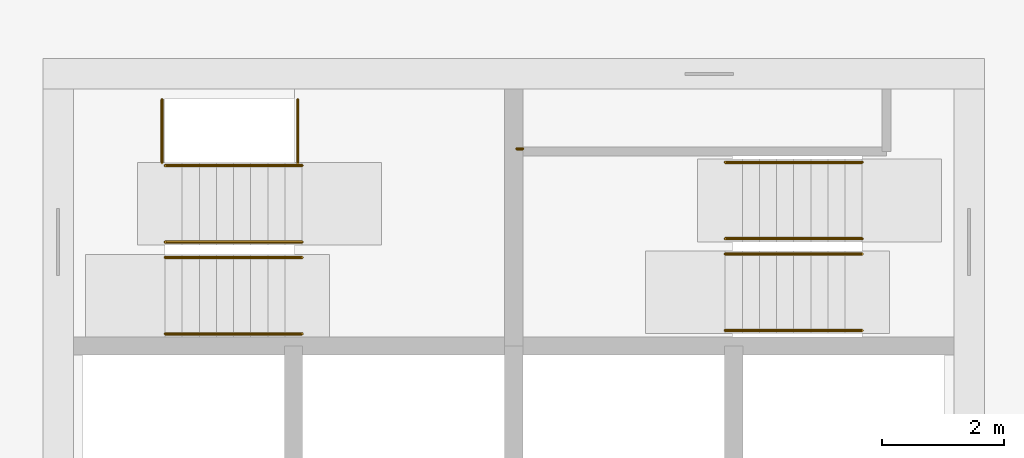
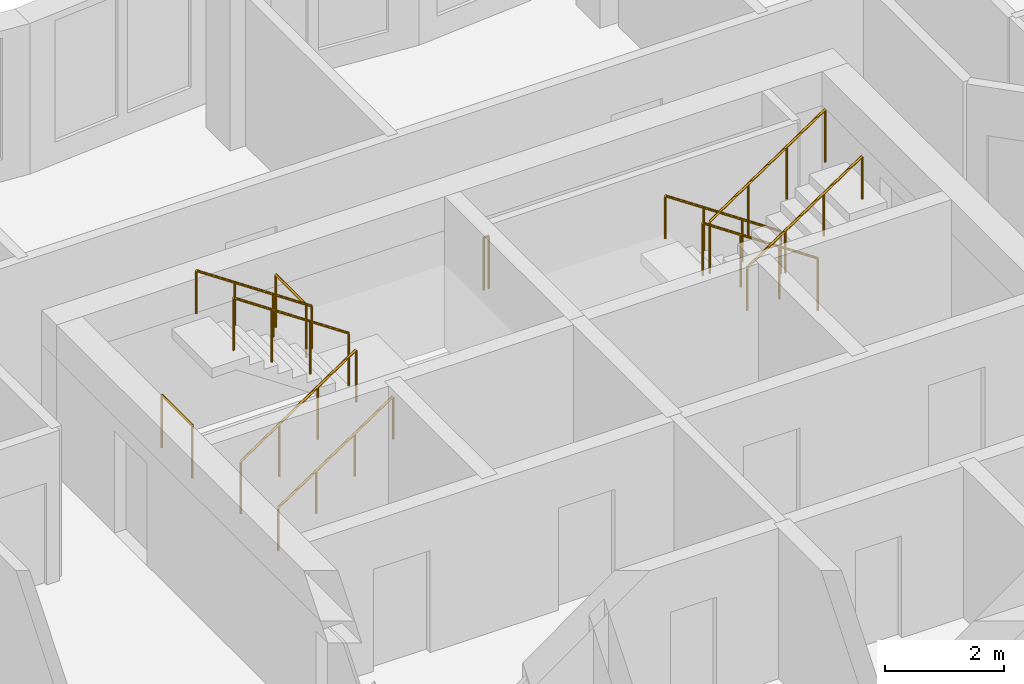
# One storey, part 10 of 11: 11 railings.
"""IFC4 building model written with IfcOpenShell, lengths in metres."""

from ifc_helpers import new_model, si_unit, direction, frame, origin, origin_2d, place, context, subcontext, project, spatial, circle, extrude, material, type_object, element, save


model = new_model("IFC4")

# Units and contexts
model_context = context("Model", 3, precision=1e-05, world=origin(), true_north=direction((0.0, 1.0)))
body_context = subcontext(model_context, "Body", "Model", "MODEL_VIEW")
ifc_project = project(units=[si_unit("LENGTHUNIT", "METRE"), si_unit("AREAUNIT", "SQUARE_METRE"), si_unit("VOLUMEUNIT", "CUBIC_METRE"), si_unit("PLANEANGLEUNIT", "RADIAN"), si_unit("MASSUNIT", "GRAM", prefix="KILO")], contexts=[model_context])

# Site, building, storey
site_placement = place(None, origin())
site = spatial("IfcSite", under=ifc_project, at=site_placement, CompositionType="ELEMENT")
building_placement = place(site_placement, origin())
building = spatial("IfcBuilding", under=site, at=building_placement, Name="Windrow Commons", CompositionType="ELEMENT")
storey_placement = place(building_placement, frame((0.0, 0.0, 193.0)))
storey = spatial("IfcBuildingStorey", under=building, at=storey_placement, Name="L52", CompositionType="ELEMENT", Elevation=193.0)

# Railings
ifc_material_1 = material(Name="Steel S355", Category="steel")
railing_type_1 = type_object("IfcRailingType", Name="Core stair guard 1100", PredefinedType="GUARDRAIL", material=ifc_material_1)
railing_1_placement = place(storey_placement, frame((59.1, 62.05, 0.1889)))
element("IfcRailing", 1, at=railing_1_placement, inside=storey, type_object=railing_type_1, Name="L52 ST-A1 stair guard 1", PredefinedType="GUARDRAIL", context=body_context, shape_type="SweptSolid", body=[
    extrude(circle(Radius=0.024, at=origin_2d()), frame((0.0, 0.0, 1.076), z_axis=(0.8290030985, 0.0, 0.5592440099), x_axis=(0.0, 1.0, 0.0)), (0.0, 0.0, 1.0), 2.702),
    extrude(circle(Radius=0.021, at=origin_2d()), origin(), (0.0, 0.0, 1.0), 1.052),
    extrude(circle(Radius=0.021, at=origin_2d()), frame((0.7467, 0.0, 0.5037)), (0.0, 0.0, 1.0), 1.052),
    extrude(circle(Radius=0.021, at=origin_2d()), frame((1.4933, 0.0, 1.0074)), (0.0, 0.0, 1.0), 1.052),
    extrude(circle(Radius=0.021, at=origin_2d()), frame((2.24, 0.0, 1.5111)), (0.0, 0.0, 1.0), 1.052),
])
railing_2_placement = place(storey_placement, frame((61.34, 62.3, 1.8889)))
element("IfcRailing", 2, at=railing_2_placement, inside=storey, type_object=railing_type_1, Name="L52 ST-A1 stair guard 2", PredefinedType="GUARDRAIL", context=body_context, shape_type="SweptSolid", body=[
    extrude(circle(Radius=0.024, at=origin_2d()), frame((0.0, 0.0, 1.076), z_axis=(-0.8290030985, 0.0, 0.5592440099), x_axis=(0.0, -1.0, 0.0)), (0.0, 0.0, 1.0), 2.702),
    extrude(circle(Radius=0.021, at=origin_2d()), origin(), (0.0, 0.0, 1.0), 1.052),
    extrude(circle(Radius=0.021, at=origin_2d()), frame((-0.7467, 0.0, 0.5037)), (0.0, 0.0, 1.0), 1.052),
    extrude(circle(Radius=0.021, at=origin_2d()), frame((-1.4933, 0.0, 1.0074)), (0.0, 0.0, 1.0), 1.052),
    extrude(circle(Radius=0.021, at=origin_2d()), frame((-2.24, 0.0, 1.5111)), (0.0, 0.0, 1.0), 1.052),
])
for number, where, name in (
    (3, (59.05, 63.6, 0.0), "L52 ST-A1 stair guard 3"),
    (4, (61.27, 63.6, 1.7), "L52 ST-A1 stair guard 4"),
):
    element("IfcRailing", number, at=place(storey_placement, frame(where)), inside=storey, type_object=railing_type_1, Name=name, PredefinedType="GUARDRAIL", context=body_context, shape_type="SweptSolid", body=[
        extrude(circle(Radius=0.024, at=origin_2d()), frame((0.0, 0.0, 1.076), z_axis=(0.0, 1.0, 0.0), x_axis=(-1.0, 0.0, 0.0)), (0.0, 0.0, 1.0), 1.03),
        extrude(circle(Radius=0.021, at=origin_2d()), origin(), (0.0, 0.0, 1.0), 1.052),
        extrude(circle(Radius=0.021, at=origin_2d()), frame((0.0, 1.03, 0.0)), (0.0, 0.0, 1.0), 1.052),
    ])
railing_3_placement = place(storey_placement, frame((70.5, 62.355, 0.1889)))
element("IfcRailing", 5, at=railing_3_placement, inside=storey, type_object=railing_type_1, Name="L52 ST-A2 stair guard 1", PredefinedType="GUARDRAIL", context=body_context, shape_type="SweptSolid", body=[
    extrude(circle(Radius=0.024, at=origin_2d()), frame((0.0, 0.0, 1.076), z_axis=(-0.8290030985, 0.0, 0.5592440099), x_axis=(0.0, -1.0, 0.0)), (0.0, 0.0, 1.0), 2.702),
    extrude(circle(Radius=0.021, at=origin_2d()), origin(), (0.0, 0.0, 1.0), 1.052),
    extrude(circle(Radius=0.021, at=origin_2d()), frame((-0.7467, 0.0, 0.5037)), (0.0, 0.0, 1.0), 1.052),
    extrude(circle(Radius=0.021, at=origin_2d()), frame((-1.4933, 0.0, 1.0074)), (0.0, 0.0, 1.0), 1.052),
    extrude(circle(Radius=0.021, at=origin_2d()), frame((-2.24, 0.0, 1.5111)), (0.0, 0.0, 1.0), 1.052),
])
railing_4_placement = place(storey_placement, frame((68.26, 62.105, 1.8889)))
element("IfcRailing", 6, at=railing_4_placement, inside=storey, type_object=railing_type_1, Name="L52 ST-A2 stair guard 2", PredefinedType="GUARDRAIL", context=body_context, shape_type="SweptSolid", body=[
    extrude(circle(Radius=0.024, at=origin_2d()), frame((0.0, 0.0, 1.076), z_axis=(0.8290030985, 0.0, 0.5592440099), x_axis=(0.0, 1.0, 0.0)), (0.0, 0.0, 1.0), 2.702),
    extrude(circle(Radius=0.021, at=origin_2d()), origin(), (0.0, 0.0, 1.0), 1.052),
    extrude(circle(Radius=0.021, at=origin_2d()), frame((0.7467, 0.0, 0.5037)), (0.0, 0.0, 1.0), 1.052),
    extrude(circle(Radius=0.021, at=origin_2d()), frame((1.4933, 0.0, 1.0074)), (0.0, 0.0, 1.0), 1.052),
    extrude(circle(Radius=0.021, at=origin_2d()), frame((2.24, 0.0, 1.5111)), (0.0, 0.0, 1.0), 1.052),
])
railing_5_placement = place(storey_placement, frame((64.95, 63.825, 1.7)))
element("IfcRailing", 7, at=railing_5_placement, inside=storey, type_object=railing_type_1, Name="L52 ST-A2 stair guard 3", PredefinedType="GUARDRAIL", context=body_context, shape_type="SweptSolid", body=[
    extrude(circle(Radius=0.024, at=origin_2d()), frame((0.0, 0.0, 1.076), z_axis=(-1.0, 0.0, 0.0), x_axis=(0.0, -1.0, 0.0)), (0.0, 0.0, 1.0), 0.1),
    extrude(circle(Radius=0.021, at=origin_2d()), origin(), (0.0, 0.0, 1.0), 1.052),
    extrude(circle(Radius=0.021, at=origin_2d()), frame((-0.1, 0.0, 0.0)), (0.0, 0.0, 1.0), 1.052),
])
ifc_material_2 = material(Name="Steel S355", Category="steel")
railing_type_2 = type_object("IfcRailingType", Name="Core stair handrail 900", PredefinedType="HANDRAIL", material=ifc_material_2)
railing_6_placement = place(storey_placement, frame((59.1, 60.8, 0.1889)))
element("IfcRailing", 8, at=railing_6_placement, inside=storey, type_object=railing_type_2, Name="L52 ST-A1 stair handrail 1", PredefinedType="HANDRAIL", context=body_context, shape_type="SweptSolid", body=[
    extrude(circle(Radius=0.024, at=origin_2d()), frame((0.0, 0.0, 0.876), z_axis=(0.8290030985, 0.0, 0.5592440099), x_axis=(0.0, 1.0, 0.0)), (0.0, 0.0, 1.0), 2.702),
    extrude(circle(Radius=0.021, at=origin_2d()), origin(), (0.0, 0.0, 1.0), 0.852),
    extrude(circle(Radius=0.021, at=origin_2d()), frame((0.7467, 0.0, 0.5037)), (0.0, 0.0, 1.0), 0.852),
    extrude(circle(Radius=0.021, at=origin_2d()), frame((1.4933, 0.0, 1.0074)), (0.0, 0.0, 1.0), 0.852),
    extrude(circle(Radius=0.021, at=origin_2d()), frame((2.24, 0.0, 1.5111)), (0.0, 0.0, 1.0), 0.852),
])
for number, where, name in (
    (9, (61.34, 63.55, 1.8889), "L52 ST-A1 stair handrail 2"),
    (10, (70.5, 63.605, 0.1889), "L52 ST-A2 stair handrail 1"),
):
    element("IfcRailing", number, at=place(storey_placement, frame(where)), inside=storey, type_object=railing_type_2, Name=name, PredefinedType="HANDRAIL", context=body_context, shape_type="SweptSolid", body=[
        extrude(circle(Radius=0.024, at=origin_2d()), frame((0.0, 0.0, 0.876), z_axis=(-0.8290030985, 0.0, 0.5592440099), x_axis=(0.0, -1.0, 0.0)), (0.0, 0.0, 1.0), 2.702),
        extrude(circle(Radius=0.021, at=origin_2d()), origin(), (0.0, 0.0, 1.0), 0.852),
        extrude(circle(Radius=0.021, at=origin_2d()), frame((-0.7467, 0.0, 0.5037)), (0.0, 0.0, 1.0), 0.852),
        extrude(circle(Radius=0.021, at=origin_2d()), frame((-1.4933, 0.0, 1.0074)), (0.0, 0.0, 1.0), 0.852),
        extrude(circle(Radius=0.021, at=origin_2d()), frame((-2.24, 0.0, 1.5111)), (0.0, 0.0, 1.0), 0.852),
    ])
railing_7_placement = place(storey_placement, frame((68.26, 60.855, 1.8889)))
element("IfcRailing", 11, at=railing_7_placement, inside=storey, type_object=railing_type_2, Name="L52 ST-A2 stair handrail 2", PredefinedType="HANDRAIL", context=body_context, shape_type="SweptSolid", body=[
    extrude(circle(Radius=0.024, at=origin_2d()), frame((0.0, 0.0, 0.876), z_axis=(0.8290030985, 0.0, 0.5592440099), x_axis=(0.0, 1.0, 0.0)), (0.0, 0.0, 1.0), 2.702),
    extrude(circle(Radius=0.021, at=origin_2d()), origin(), (0.0, 0.0, 1.0), 0.852),
    extrude(circle(Radius=0.021, at=origin_2d()), frame((0.7467, 0.0, 0.5037)), (0.0, 0.0, 1.0), 0.852),
    extrude(circle(Radius=0.021, at=origin_2d()), frame((1.4933, 0.0, 1.0074)), (0.0, 0.0, 1.0), 0.852),
    extrude(circle(Radius=0.021, at=origin_2d()), frame((2.24, 0.0, 1.5111)), (0.0, 0.0, 1.0), 0.852),
])

save(model, "model.ifc")
